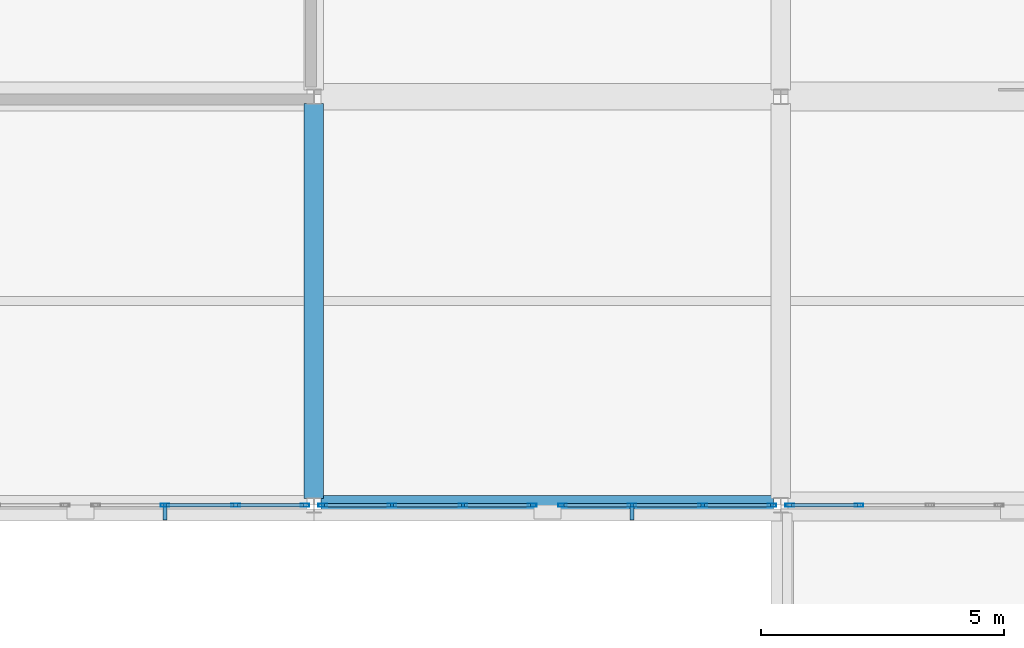
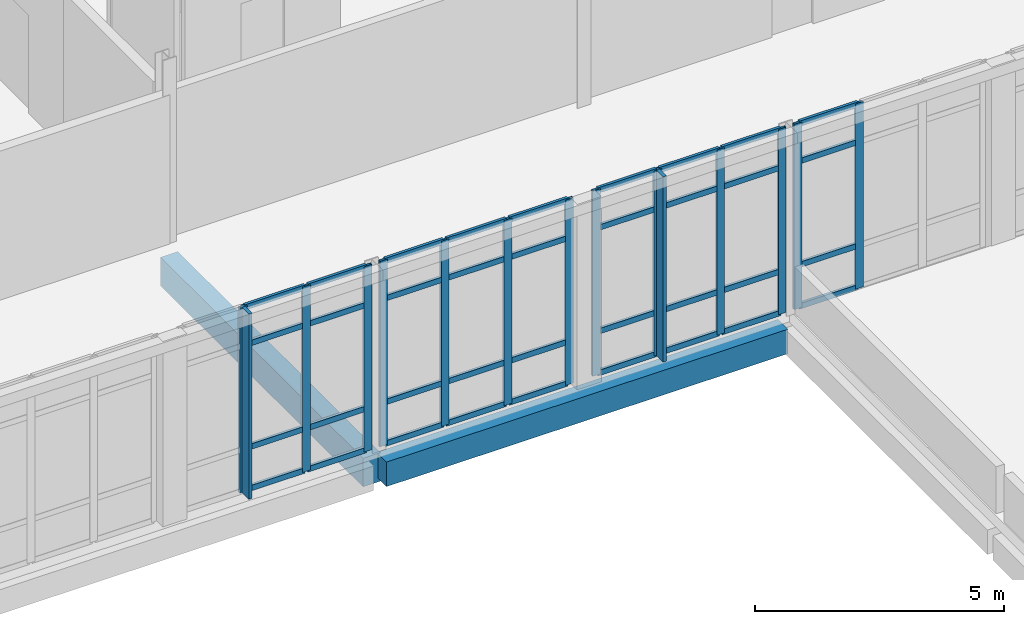
# One storey, part 44 of 88: 51 members, 2 beams, 4 elements without a shape of their own.
"""IFC4 building model written with IfcOpenShell, lengths in metres."""

from ifc_helpers import new_model, si_unit, direction, frame, origin, origin_2d, place, context, subcontext, project, spatial, rectangle, hollow_rectangle, extrude, material, layer, layer_set, material_profile, profile_set, type_object, element, aggregate, save


model = new_model("IFC4")

# Units and contexts
model_context = context("Model", 3, precision=1e-05, world=origin(), true_north=direction((0.0, 1.0)))
body_context = subcontext(model_context, "Body", "Model", "MODEL_VIEW")
ifc_project = project(units=[si_unit("LENGTHUNIT", "METRE"), si_unit("AREAUNIT", "SQUARE_METRE"), si_unit("VOLUMEUNIT", "CUBIC_METRE"), si_unit("PLANEANGLEUNIT", "RADIAN"), si_unit("MASSUNIT", "GRAM", prefix="KILO")], contexts=[model_context])

# Site, building, storey
site_placement = place(None, origin())
site = spatial("IfcSite", under=ifc_project, at=site_placement, CompositionType="ELEMENT")
building_placement = place(site_placement, origin())
building = spatial("IfcBuilding", under=site, at=building_placement, Name="Lornevale Opera House", CompositionType="ELEMENT")
storey_placement = place(building_placement, frame((0.0, 0.0, 10.199951171875)))
storey = spatial("IfcBuildingStorey", under=building, at=storey_placement, Name="L03", CompositionType="ELEMENT", Elevation=10.199951171875)

# Beams
ifc_material_1 = material(Name="Concrete 35 MPa (CSA A23.1 N)", Category="concrete")
ifc_material_profile_1 = material_profile(ifc_material_1, rectangle(XDim=0.39990234375, YDim=0.699951171875, at=origin_2d()), Name="RC400x700")
ifc_profile_set_1 = profile_set([ifc_material_profile_1], Name="Concrete 35 MPa (CSA A23.1 N)")
beam_type_1 = type_object("IfcBeamType", Name="Concrete Floor Beam 400x700", PredefinedType="USERDEFINED", material=ifc_profile_set_1)
beam_1_placement = place(storey_placement, frame((19.199951171875, 67.33740234375, -0.6298828125), z_axis=(0.0, 1.0, 0.0), x_axis=(-1.0, 0.0, 0.0)))
element("IfcBeam", 1, at=beam_1_placement, inside=storey, type_object=beam_type_1, Name="Concrete Floor Beam 400x700 2241", ObjectType="GIRDER", PredefinedType="USERDEFINED", context=body_context, shape_type="SweptSolid", body=[
    extrude(rectangle(XDim=0.39990234375, YDim=0.699951171875, at=origin_2d()), origin(), (0.0, 0.0, 1.0), 8.125),
])
ifc_material_profile_2 = material_profile(ifc_material_1, rectangle(XDim=0.39990234375, YDim=0.60009765625, at=origin_2d()), Name="RC400x600")
ifc_profile_set_2 = profile_set([ifc_material_profile_2], Name="Concrete 35 MPa (CSA A23.1 N)")
beam_type_2 = type_object("IfcBeamType", Name="Concrete Spandrel Beam 400x600", PredefinedType="SPANDREL", material=ifc_profile_set_2)
beam_2_placement = place(storey_placement, frame((19.346923828125, 67.199951171875, -0.58984375), z_axis=(1.0, 0.0, 0.0), x_axis=(0.0, 1.0, 0.0)))
element("IfcBeam", 2, at=beam_2_placement, inside=storey, type_object=beam_type_2, Name="Concrete Spandrel Beam 400x600 2166", PredefinedType="SPANDREL", context=body_context, shape_type="SweptSolid", body=[
    extrude(rectangle(XDim=0.39990234375, YDim=0.60009765625, at=origin_2d()), origin(), (0.0, 0.0, 1.0), 9.30615234375),
])

# Curtain wall, members
ifc_material_2 = material(Name="Anodized Oxide-Green Aluminium Framing", Category="aluminium")
ifc_layer = layer(ifc_material_2, 0.175048828125)
ifc_layer_set = layer_set([ifc_layer], Name="Anodized Oxide-Green Aluminium Framing")
curtain_wall_type = type_object("IfcCurtainWallType", Name="Chamber Cloister Curtain Wall M1700", PredefinedType="NOTDEFINED", material=ifc_layer_set)
curtain_wall_1_placement = place(storey_placement, origin())
curtain_wall_1 = element("IfcCurtainWall", 3, at=curtain_wall_1_placement, inside=storey, type_object=curtain_wall_type, Name="Chamber Cloister Curtain Wall M1700 CW-104", PredefinedType="NOTDEFINED")
ifc_material_profile_3 = material_profile(ifc_material_2, hollow_rectangle(XDim=0.06494140625, YDim=0.179931640625, WallThickness=0.0048828125, at=origin_2d()), Name="ALU65x180x5")
ifc_profile_set_3 = profile_set([ifc_material_profile_3], Name="Anodized Oxide-Green Aluminium Framing")
member_type_1 = type_object("IfcMemberType", Name="Curtain Wall Mullion 65x180", PredefinedType="MULLION", material=ifc_profile_set_3)
member_1_placement = place(storey_placement, frame((19.01708984375, 67.199951171875, 0.0), z_axis=(0.0, 0.0, 1.0), x_axis=(0.0, -1.0, 0.0)))
member_1 = element("IfcMember", 4, at=member_1_placement, type_object=member_type_1, Name="Curtain Wall Mullion 65x180 CW2120", PredefinedType="MULLION", context=body_context, shape_type="SweptSolid", body=[
    extrude(hollow_rectangle(XDim=0.06494140625, YDim=0.179931640625, WallThickness=0.0048828125, at=origin_2d()), origin(), (0.0, 0.0, 1.0), 4.5400390625),
])
member_2_placement = place(storey_placement, frame((17.593017578125, 67.199951171875, 0.0), z_axis=(0.0, 0.0, 1.0), x_axis=(0.0, -1.0, 0.0)))
member_2 = element("IfcMember", 5, at=member_2_placement, type_object=member_type_1, Name="Curtain Wall Mullion 65x180 CW2121", PredefinedType="MULLION", context=body_context, shape_type="SweptSolid", body=[
    extrude(hollow_rectangle(XDim=0.06494140625, YDim=0.179931640625, WallThickness=0.0048828125, at=origin_2d()), origin(), (0.0, 0.0, 1.0), 4.5400390625),
])
member_3_placement = place(storey_placement, frame((16.136474609375, 67.199951171875, 0.0), z_axis=(0.0, 0.0, 1.0), x_axis=(0.0, -1.0, 0.0)))
member_3 = element("IfcMember", 6, at=member_3_placement, type_object=member_type_1, Name="Curtain Wall Mullion 65x180 CW2122", PredefinedType="MULLION", context=body_context, shape_type="SweptSolid", body=[
    extrude(hollow_rectangle(XDim=0.06494140625, YDim=0.179931640625, WallThickness=0.0048828125, at=origin_2d()), origin(), (0.0, 0.0, 1.0), 4.5400390625),
])

curtain_wall_2_placement = place(storey_placement, origin())
curtain_wall_2 = element("IfcCurtainWall", 7, at=curtain_wall_2_placement, inside=storey, type_object=curtain_wall_type, Name="Chamber Cloister Curtain Wall M1700 CW-112", PredefinedType="NOTDEFINED")
member_4_placement = place(storey_placement, frame((28.616943359375, 67.199951171875, 0.0), z_axis=(0.0, 0.0, 1.0), x_axis=(0.0, -1.0, 0.0)))
member_4 = element("IfcMember", 8, at=member_4_placement, type_object=member_type_1, Name="Curtain Wall Mullion 65x180 CW2320", PredefinedType="MULLION", context=body_context, shape_type="SweptSolid", body=[
    extrude(hollow_rectangle(XDim=0.06494140625, YDim=0.179931640625, WallThickness=0.0048828125, at=origin_2d()), origin(), (0.0, 0.0, 1.0), 4.5400390625),
])
member_5_placement = place(storey_placement, frame((27.193115234375, 67.199951171875, 0.0), z_axis=(0.0, 0.0, 1.0), x_axis=(0.0, -1.0, 0.0)))
member_5 = element("IfcMember", 9, at=member_5_placement, type_object=member_type_1, Name="Curtain Wall Mullion 65x180 CW2321", PredefinedType="MULLION", context=body_context, shape_type="SweptSolid", body=[
    extrude(hollow_rectangle(XDim=0.06494140625, YDim=0.179931640625, WallThickness=0.0048828125, at=origin_2d()), origin(), (0.0, 0.0, 1.0), 4.5400390625),
])
member_6_placement = place(storey_placement, frame((25.736572265625, 67.199951171875, 0.0), z_axis=(0.0, 0.0, 1.0), x_axis=(0.0, -1.0, 0.0)))
member_6 = element("IfcMember", 10, at=member_6_placement, type_object=member_type_1, Name="Curtain Wall Mullion 65x180 CW2322", PredefinedType="MULLION", context=body_context, shape_type="SweptSolid", body=[
    extrude(hollow_rectangle(XDim=0.06494140625, YDim=0.179931640625, WallThickness=0.0048828125, at=origin_2d()), origin(), (0.0, 0.0, 1.0), 4.5400390625),
])
member_7_placement = place(storey_placement, frame((24.3125, 67.199951171875, 0.0), z_axis=(0.0, 0.0, 1.0), x_axis=(0.0, -1.0, 0.0)))
member_7 = element("IfcMember", 11, at=member_7_placement, type_object=member_type_1, Name="Curtain Wall Mullion 65x180 CW2323", PredefinedType="MULLION", context=body_context, shape_type="SweptSolid", body=[
    extrude(hollow_rectangle(XDim=0.06494140625, YDim=0.179931640625, WallThickness=0.0048828125, at=origin_2d()), origin(), (0.0, 0.0, 1.0), 4.5400390625),
])

curtain_wall_3_placement = place(storey_placement, origin())
curtain_wall_3 = element("IfcCurtainWall", 12, at=curtain_wall_3_placement, inside=storey, type_object=curtain_wall_type, Name="Chamber Cloister Curtain Wall M1700 CW-113", PredefinedType="NOTDEFINED")
member_8_placement = place(storey_placement, frame((23.6875, 67.199951171875, 0.0), z_axis=(0.0, 0.0, 1.0), x_axis=(0.0, -1.0, 0.0)))
member_8 = element("IfcMember", 13, at=member_8_placement, type_object=member_type_1, Name="Curtain Wall Mullion 65x180 CW2345", PredefinedType="MULLION", context=body_context, shape_type="SweptSolid", body=[
    extrude(hollow_rectangle(XDim=0.06494140625, YDim=0.179931640625, WallThickness=0.0048828125, at=origin_2d()), origin(), (0.0, 0.0, 1.0), 4.5400390625),
])
member_9_placement = place(storey_placement, frame((22.263427734375, 67.199951171875, 0.0), z_axis=(0.0, 0.0, 1.0), x_axis=(0.0, -1.0, 0.0)))
member_9 = element("IfcMember", 14, at=member_9_placement, type_object=member_type_1, Name="Curtain Wall Mullion 65x180 CW2346", PredefinedType="MULLION", context=body_context, shape_type="SweptSolid", body=[
    extrude(hollow_rectangle(XDim=0.06494140625, YDim=0.179931640625, WallThickness=0.0048828125, at=origin_2d()), origin(), (0.0, 0.0, 1.0), 4.5400390625),
])
member_10_placement = place(storey_placement, frame((20.806884765625, 67.199951171875, 0.0), z_axis=(0.0, 0.0, 1.0), x_axis=(0.0, -1.0, 0.0)))
member_10 = element("IfcMember", 15, at=member_10_placement, type_object=member_type_1, Name="Curtain Wall Mullion 65x180 CW2347", PredefinedType="MULLION", context=body_context, shape_type="SweptSolid", body=[
    extrude(hollow_rectangle(XDim=0.06494140625, YDim=0.179931640625, WallThickness=0.0048828125, at=origin_2d()), origin(), (0.0, 0.0, 1.0), 4.5400390625),
])
member_11_placement = place(storey_placement, frame((19.383056640625, 67.199951171875, 0.0), z_axis=(0.0, 0.0, 1.0), x_axis=(0.0, -1.0, 0.0)))
member_11 = element("IfcMember", 16, at=member_11_placement, type_object=member_type_1, Name="Curtain Wall Mullion 65x180 CW2348", PredefinedType="MULLION", context=body_context, shape_type="SweptSolid", body=[
    extrude(hollow_rectangle(XDim=0.06494140625, YDim=0.179931640625, WallThickness=0.0048828125, at=origin_2d()), origin(), (0.0, 0.0, 1.0), 4.5400390625),
])

curtain_wall_4_placement = place(storey_placement, origin())
curtain_wall_4 = element("IfcCurtainWall", 17, at=curtain_wall_4_placement, inside=storey, type_object=curtain_wall_type, Name="Chamber Cloister Curtain Wall M1700 CW-125", PredefinedType="NOTDEFINED")
member_12_placement = place(storey_placement, frame((30.406982421875, 67.199951171875, 0.0), z_axis=(0.0, 0.0, 1.0), x_axis=(0.0, -1.0, 0.0)))
member_12 = element("IfcMember", 18, at=member_12_placement, type_object=member_type_1, Name="Curtain Wall Mullion 65x180 CW2591", PredefinedType="MULLION", context=body_context, shape_type="SweptSolid", body=[
    extrude(hollow_rectangle(XDim=0.06494140625, YDim=0.179931640625, WallThickness=0.0048828125, at=origin_2d()), origin(), (0.0, 0.0, 1.0), 4.5400390625),
])
member_13_placement = place(storey_placement, frame((28.98291015625, 67.199951171875, 0.0), z_axis=(0.0, 0.0, 1.0), x_axis=(0.0, -1.0, 0.0)))
member_13 = element("IfcMember", 19, at=member_13_placement, type_object=member_type_1, Name="Curtain Wall Mullion 65x180 CW2592", PredefinedType="MULLION", context=body_context, shape_type="SweptSolid", body=[
    extrude(hollow_rectangle(XDim=0.06494140625, YDim=0.179931640625, WallThickness=0.0048828125, at=origin_2d()), origin(), (0.0, 0.0, 1.0), 4.5400390625),
])

# Member
ifc_material_profile_4 = material_profile(ifc_material_2, hollow_rectangle(XDim=0.06494140625, YDim=0.135009765625, WallThickness=0.00390625, at=origin_2d()), Name="ALU65x135x4")
ifc_profile_set_4 = profile_set([ifc_material_profile_4], Name="Anodized Oxide-Green Aluminium Framing")
member_type_2 = type_object("IfcMemberType", Name="Curtain Wall Transom 65x135", PredefinedType="USERDEFINED", material=ifc_profile_set_4)
member_14_placement = place(storey_placement, frame((18.984619140625, 67.199951171875, 0.032470703125), z_axis=(-1.0, 0.0, 0.0), x_axis=(0.0, -1.0, 0.0)))
member_14 = element("IfcMember", 20, at=member_14_placement, type_object=member_type_2, Name="Curtain Wall Transom 65x135 CW2124", ObjectType="TRANSOM", PredefinedType="USERDEFINED", context=body_context, shape_type="SweptSolid", body=[
    extrude(hollow_rectangle(XDim=0.06494140625, YDim=0.135009765625, WallThickness=0.00390625, at=origin_2d()), origin(), (0.0, 0.0, 1.0), 1.359130859375),
])

member_15_placement = place(storey_placement, frame((18.984619140625, 67.199951171875, 1.050048828125), z_axis=(-1.0, 0.0, 0.0), x_axis=(0.0, -1.0, 0.0)))
member_15 = element("IfcMember", 21, at=member_15_placement, type_object=member_type_2, Name="Curtain Wall Transom 65x135 CW2125", ObjectType="TRANSOM", PredefinedType="USERDEFINED", context=body_context, shape_type="SweptSolid", body=[
    extrude(hollow_rectangle(XDim=0.06494140625, YDim=0.135009765625, WallThickness=0.00390625, at=origin_2d()), origin(), (0.0, 0.0, 1.0), 1.359130859375),
])

member_16_placement = place(storey_placement, frame((18.984619140625, 67.199951171875, 3.590087890625), z_axis=(-1.0, 0.0, 0.0), x_axis=(0.0, -1.0, 0.0)))
member_16 = element("IfcMember", 22, at=member_16_placement, type_object=member_type_2, Name="Curtain Wall Transom 65x135 CW2126", ObjectType="TRANSOM", PredefinedType="USERDEFINED", context=body_context, shape_type="SweptSolid", body=[
    extrude(hollow_rectangle(XDim=0.06494140625, YDim=0.135009765625, WallThickness=0.00390625, at=origin_2d()), origin(), (0.0, 0.0, 1.0), 1.359130859375),
])

member_17_placement = place(storey_placement, frame((18.984619140625, 67.199951171875, 4.507568359375), z_axis=(-1.0, 0.0, 0.0), x_axis=(0.0, -1.0, 0.0)))
member_17 = element("IfcMember", 23, at=member_17_placement, type_object=member_type_2, Name="Curtain Wall Transom 65x135 CW2127", ObjectType="TRANSOM", PredefinedType="USERDEFINED", context=body_context, shape_type="SweptSolid", body=[
    extrude(hollow_rectangle(XDim=0.06494140625, YDim=0.135009765625, WallThickness=0.00390625, at=origin_2d()), origin(), (0.0, 0.0, 1.0), 1.359130859375),
])

member_18_placement = place(storey_placement, frame((17.560546875, 67.199951171875, 0.032470703125), z_axis=(-1.0, 0.0, 0.0), x_axis=(0.0, -1.0, 0.0)))
member_18 = element("IfcMember", 24, at=member_18_placement, type_object=member_type_2, Name="Curtain Wall Transom 65x135 CW2131", ObjectType="TRANSOM", PredefinedType="USERDEFINED", context=body_context, shape_type="SweptSolid", body=[
    extrude(hollow_rectangle(XDim=0.06494140625, YDim=0.135009765625, WallThickness=0.00390625, at=origin_2d()), origin(), (0.0, 0.0, 1.0), 1.3916015625),
])

member_19_placement = place(storey_placement, frame((17.560546875, 67.199951171875, 1.050048828125), z_axis=(-1.0, 0.0, 0.0), x_axis=(0.0, -1.0, 0.0)))
member_19 = element("IfcMember", 25, at=member_19_placement, type_object=member_type_2, Name="Curtain Wall Transom 65x135 CW2132", ObjectType="TRANSOM", PredefinedType="USERDEFINED", context=body_context, shape_type="SweptSolid", body=[
    extrude(hollow_rectangle(XDim=0.06494140625, YDim=0.135009765625, WallThickness=0.00390625, at=origin_2d()), origin(), (0.0, 0.0, 1.0), 1.3916015625),
])

member_20_placement = place(storey_placement, frame((17.560546875, 67.199951171875, 3.590087890625), z_axis=(-1.0, 0.0, 0.0), x_axis=(0.0, -1.0, 0.0)))
member_20 = element("IfcMember", 26, at=member_20_placement, type_object=member_type_2, Name="Curtain Wall Transom 65x135 CW2133", ObjectType="TRANSOM", PredefinedType="USERDEFINED", context=body_context, shape_type="SweptSolid", body=[
    extrude(hollow_rectangle(XDim=0.06494140625, YDim=0.135009765625, WallThickness=0.00390625, at=origin_2d()), origin(), (0.0, 0.0, 1.0), 1.3916015625),
])

member_21_placement = place(storey_placement, frame((17.560546875, 67.199951171875, 4.507568359375), z_axis=(-1.0, 0.0, 0.0), x_axis=(0.0, -1.0, 0.0)))
member_21 = element("IfcMember", 27, at=member_21_placement, type_object=member_type_2, Name="Curtain Wall Transom 65x135 CW2134", ObjectType="TRANSOM", PredefinedType="USERDEFINED", context=body_context, shape_type="SweptSolid", body=[
    extrude(hollow_rectangle(XDim=0.06494140625, YDim=0.135009765625, WallThickness=0.00390625, at=origin_2d()), origin(), (0.0, 0.0, 1.0), 1.3916015625),
])

member_22_placement = place(storey_placement, frame((28.58447265625, 67.199951171875, 0.032470703125), z_axis=(-1.0, 0.0, 0.0), x_axis=(0.0, -1.0, 0.0)))
member_22 = element("IfcMember", 28, at=member_22_placement, type_object=member_type_2, Name="Curtain Wall Transom 65x135 CW2324", ObjectType="TRANSOM", PredefinedType="USERDEFINED", context=body_context, shape_type="SweptSolid", body=[
    extrude(hollow_rectangle(XDim=0.06494140625, YDim=0.135009765625, WallThickness=0.00390625, at=origin_2d()), origin(), (0.0, 0.0, 1.0), 1.35888671875),
])

member_23_placement = place(storey_placement, frame((28.58447265625, 67.199951171875, 1.050048828125), z_axis=(-1.0, 0.0, 0.0), x_axis=(0.0, -1.0, 0.0)))
member_23 = element("IfcMember", 29, at=member_23_placement, type_object=member_type_2, Name="Curtain Wall Transom 65x135 CW2325", ObjectType="TRANSOM", PredefinedType="USERDEFINED", context=body_context, shape_type="SweptSolid", body=[
    extrude(hollow_rectangle(XDim=0.06494140625, YDim=0.135009765625, WallThickness=0.00390625, at=origin_2d()), origin(), (0.0, 0.0, 1.0), 1.35888671875),
])

member_24_placement = place(storey_placement, frame((28.58447265625, 67.199951171875, 3.590087890625), z_axis=(-1.0, 0.0, 0.0), x_axis=(0.0, -1.0, 0.0)))
member_24 = element("IfcMember", 30, at=member_24_placement, type_object=member_type_2, Name="Curtain Wall Transom 65x135 CW2326", ObjectType="TRANSOM", PredefinedType="USERDEFINED", context=body_context, shape_type="SweptSolid", body=[
    extrude(hollow_rectangle(XDim=0.06494140625, YDim=0.135009765625, WallThickness=0.00390625, at=origin_2d()), origin(), (0.0, 0.0, 1.0), 1.35888671875),
])

member_25_placement = place(storey_placement, frame((28.58447265625, 67.199951171875, 4.507568359375), z_axis=(-1.0, 0.0, 0.0), x_axis=(0.0, -1.0, 0.0)))
member_25 = element("IfcMember", 31, at=member_25_placement, type_object=member_type_2, Name="Curtain Wall Transom 65x135 CW2327", ObjectType="TRANSOM", PredefinedType="USERDEFINED", context=body_context, shape_type="SweptSolid", body=[
    extrude(hollow_rectangle(XDim=0.06494140625, YDim=0.135009765625, WallThickness=0.00390625, at=origin_2d()), origin(), (0.0, 0.0, 1.0), 1.35888671875),
])

member_26_placement = place(storey_placement, frame((27.160400390625, 67.199951171875, 0.032470703125), z_axis=(-1.0, 0.0, 0.0), x_axis=(0.0, -1.0, 0.0)))
member_26 = element("IfcMember", 32, at=member_26_placement, type_object=member_type_2, Name="Curtain Wall Transom 65x135 CW2331", ObjectType="TRANSOM", PredefinedType="USERDEFINED", context=body_context, shape_type="SweptSolid", body=[
    extrude(hollow_rectangle(XDim=0.06494140625, YDim=0.135009765625, WallThickness=0.00390625, at=origin_2d()), origin(), (0.0, 0.0, 1.0), 1.391357421875),
])

member_27_placement = place(storey_placement, frame((27.160400390625, 67.199951171875, 1.050048828125), z_axis=(-1.0, 0.0, 0.0), x_axis=(0.0, -1.0, 0.0)))
member_27 = element("IfcMember", 33, at=member_27_placement, type_object=member_type_2, Name="Curtain Wall Transom 65x135 CW2332", ObjectType="TRANSOM", PredefinedType="USERDEFINED", context=body_context, shape_type="SweptSolid", body=[
    extrude(hollow_rectangle(XDim=0.06494140625, YDim=0.135009765625, WallThickness=0.00390625, at=origin_2d()), origin(), (0.0, 0.0, 1.0), 1.391357421875),
])

member_28_placement = place(storey_placement, frame((27.160400390625, 67.199951171875, 3.590087890625), z_axis=(-1.0, 0.0, 0.0), x_axis=(0.0, -1.0, 0.0)))
member_28 = element("IfcMember", 34, at=member_28_placement, type_object=member_type_2, Name="Curtain Wall Transom 65x135 CW2333", ObjectType="TRANSOM", PredefinedType="USERDEFINED", context=body_context, shape_type="SweptSolid", body=[
    extrude(hollow_rectangle(XDim=0.06494140625, YDim=0.135009765625, WallThickness=0.00390625, at=origin_2d()), origin(), (0.0, 0.0, 1.0), 1.391357421875),
])

member_29_placement = place(storey_placement, frame((27.160400390625, 67.199951171875, 4.507568359375), z_axis=(-1.0, 0.0, 0.0), x_axis=(0.0, -1.0, 0.0)))
member_29 = element("IfcMember", 35, at=member_29_placement, type_object=member_type_2, Name="Curtain Wall Transom 65x135 CW2334", ObjectType="TRANSOM", PredefinedType="USERDEFINED", context=body_context, shape_type="SweptSolid", body=[
    extrude(hollow_rectangle(XDim=0.06494140625, YDim=0.135009765625, WallThickness=0.00390625, at=origin_2d()), origin(), (0.0, 0.0, 1.0), 1.391357421875),
])

member_30_placement = place(storey_placement, frame((25.7041015625, 67.199951171875, 0.032470703125), z_axis=(-1.0, 0.0, 0.0), x_axis=(0.0, -1.0, 0.0)))
member_30 = element("IfcMember", 36, at=member_30_placement, type_object=member_type_2, Name="Curtain Wall Transom 65x135 CW2338", ObjectType="TRANSOM", PredefinedType="USERDEFINED", context=body_context, shape_type="SweptSolid", body=[
    extrude(hollow_rectangle(XDim=0.06494140625, YDim=0.135009765625, WallThickness=0.00390625, at=origin_2d()), origin(), (0.0, 0.0, 1.0), 1.359130859375),
])

member_31_placement = place(storey_placement, frame((25.7041015625, 67.199951171875, 1.050048828125), z_axis=(-1.0, 0.0, 0.0), x_axis=(0.0, -1.0, 0.0)))
member_31 = element("IfcMember", 37, at=member_31_placement, type_object=member_type_2, Name="Curtain Wall Transom 65x135 CW2339", ObjectType="TRANSOM", PredefinedType="USERDEFINED", context=body_context, shape_type="SweptSolid", body=[
    extrude(hollow_rectangle(XDim=0.06494140625, YDim=0.135009765625, WallThickness=0.00390625, at=origin_2d()), origin(), (0.0, 0.0, 1.0), 1.359130859375),
])

member_32_placement = place(storey_placement, frame((25.7041015625, 67.199951171875, 3.590087890625), z_axis=(-1.0, 0.0, 0.0), x_axis=(0.0, -1.0, 0.0)))
member_32 = element("IfcMember", 38, at=member_32_placement, type_object=member_type_2, Name="Curtain Wall Transom 65x135 CW2340", ObjectType="TRANSOM", PredefinedType="USERDEFINED", context=body_context, shape_type="SweptSolid", body=[
    extrude(hollow_rectangle(XDim=0.06494140625, YDim=0.135009765625, WallThickness=0.00390625, at=origin_2d()), origin(), (0.0, 0.0, 1.0), 1.359130859375),
])

member_33_placement = place(storey_placement, frame((25.7041015625, 67.199951171875, 4.507568359375), z_axis=(-1.0, 0.0, 0.0), x_axis=(0.0, -1.0, 0.0)))
member_33 = element("IfcMember", 39, at=member_33_placement, type_object=member_type_2, Name="Curtain Wall Transom 65x135 CW2341", ObjectType="TRANSOM", PredefinedType="USERDEFINED", context=body_context, shape_type="SweptSolid", body=[
    extrude(hollow_rectangle(XDim=0.06494140625, YDim=0.135009765625, WallThickness=0.00390625, at=origin_2d()), origin(), (0.0, 0.0, 1.0), 1.359130859375),
])

member_34_placement = place(storey_placement, frame((23.655029296875, 67.199951171875, 0.032470703125), z_axis=(-1.0, 0.0, 0.0), x_axis=(0.0, -1.0, 0.0)))
member_34 = element("IfcMember", 40, at=member_34_placement, type_object=member_type_2, Name="Curtain Wall Transom 65x135 CW2349", ObjectType="TRANSOM", PredefinedType="USERDEFINED", context=body_context, shape_type="SweptSolid", body=[
    extrude(hollow_rectangle(XDim=0.06494140625, YDim=0.135009765625, WallThickness=0.00390625, at=origin_2d()), origin(), (0.0, 0.0, 1.0), 1.359130859375),
])

member_35_placement = place(storey_placement, frame((23.655029296875, 67.199951171875, 1.050048828125), z_axis=(-1.0, 0.0, 0.0), x_axis=(0.0, -1.0, 0.0)))
member_35 = element("IfcMember", 41, at=member_35_placement, type_object=member_type_2, Name="Curtain Wall Transom 65x135 CW2350", ObjectType="TRANSOM", PredefinedType="USERDEFINED", context=body_context, shape_type="SweptSolid", body=[
    extrude(hollow_rectangle(XDim=0.06494140625, YDim=0.135009765625, WallThickness=0.00390625, at=origin_2d()), origin(), (0.0, 0.0, 1.0), 1.359130859375),
])

member_36_placement = place(storey_placement, frame((23.655029296875, 67.199951171875, 3.590087890625), z_axis=(-1.0, 0.0, 0.0), x_axis=(0.0, -1.0, 0.0)))
member_36 = element("IfcMember", 42, at=member_36_placement, type_object=member_type_2, Name="Curtain Wall Transom 65x135 CW2351", ObjectType="TRANSOM", PredefinedType="USERDEFINED", context=body_context, shape_type="SweptSolid", body=[
    extrude(hollow_rectangle(XDim=0.06494140625, YDim=0.135009765625, WallThickness=0.00390625, at=origin_2d()), origin(), (0.0, 0.0, 1.0), 1.359130859375),
])

member_37_placement = place(storey_placement, frame((23.655029296875, 67.199951171875, 4.507568359375), z_axis=(-1.0, 0.0, 0.0), x_axis=(0.0, -1.0, 0.0)))
member_37 = element("IfcMember", 43, at=member_37_placement, type_object=member_type_2, Name="Curtain Wall Transom 65x135 CW2352", ObjectType="TRANSOM", PredefinedType="USERDEFINED", context=body_context, shape_type="SweptSolid", body=[
    extrude(hollow_rectangle(XDim=0.06494140625, YDim=0.135009765625, WallThickness=0.00390625, at=origin_2d()), origin(), (0.0, 0.0, 1.0), 1.359130859375),
])

member_38_placement = place(storey_placement, frame((22.23095703125, 67.199951171875, 0.032470703125), z_axis=(-1.0, 0.0, 0.0), x_axis=(0.0, -1.0, 0.0)))
member_38 = element("IfcMember", 44, at=member_38_placement, type_object=member_type_2, Name="Curtain Wall Transom 65x135 CW2356", ObjectType="TRANSOM", PredefinedType="USERDEFINED", context=body_context, shape_type="SweptSolid", body=[
    extrude(hollow_rectangle(XDim=0.06494140625, YDim=0.135009765625, WallThickness=0.00390625, at=origin_2d()), origin(), (0.0, 0.0, 1.0), 1.391357421875),
])

member_39_placement = place(storey_placement, frame((22.23095703125, 67.199951171875, 1.050048828125), z_axis=(-1.0, 0.0, 0.0), x_axis=(0.0, -1.0, 0.0)))
member_39 = element("IfcMember", 45, at=member_39_placement, type_object=member_type_2, Name="Curtain Wall Transom 65x135 CW2357", ObjectType="TRANSOM", PredefinedType="USERDEFINED", context=body_context, shape_type="SweptSolid", body=[
    extrude(hollow_rectangle(XDim=0.06494140625, YDim=0.135009765625, WallThickness=0.00390625, at=origin_2d()), origin(), (0.0, 0.0, 1.0), 1.391357421875),
])

member_40_placement = place(storey_placement, frame((22.23095703125, 67.199951171875, 3.590087890625), z_axis=(-1.0, 0.0, 0.0), x_axis=(0.0, -1.0, 0.0)))
member_40 = element("IfcMember", 46, at=member_40_placement, type_object=member_type_2, Name="Curtain Wall Transom 65x135 CW2358", ObjectType="TRANSOM", PredefinedType="USERDEFINED", context=body_context, shape_type="SweptSolid", body=[
    extrude(hollow_rectangle(XDim=0.06494140625, YDim=0.135009765625, WallThickness=0.00390625, at=origin_2d()), origin(), (0.0, 0.0, 1.0), 1.391357421875),
])

member_41_placement = place(storey_placement, frame((22.23095703125, 67.199951171875, 4.507568359375), z_axis=(-1.0, 0.0, 0.0), x_axis=(0.0, -1.0, 0.0)))
member_41 = element("IfcMember", 47, at=member_41_placement, type_object=member_type_2, Name="Curtain Wall Transom 65x135 CW2359", ObjectType="TRANSOM", PredefinedType="USERDEFINED", context=body_context, shape_type="SweptSolid", body=[
    extrude(hollow_rectangle(XDim=0.06494140625, YDim=0.135009765625, WallThickness=0.00390625, at=origin_2d()), origin(), (0.0, 0.0, 1.0), 1.391357421875),
])

member_42_placement = place(storey_placement, frame((20.7744140625, 67.199951171875, 0.032470703125), z_axis=(-1.0, 0.0, 0.0), x_axis=(0.0, -1.0, 0.0)))
member_42 = element("IfcMember", 48, at=member_42_placement, type_object=member_type_2, Name="Curtain Wall Transom 65x135 CW2363", ObjectType="TRANSOM", PredefinedType="USERDEFINED", context=body_context, shape_type="SweptSolid", body=[
    extrude(hollow_rectangle(XDim=0.06494140625, YDim=0.135009765625, WallThickness=0.00390625, at=origin_2d()), origin(), (0.0, 0.0, 1.0), 1.35888671875),
])

member_43_placement = place(storey_placement, frame((20.7744140625, 67.199951171875, 1.050048828125), z_axis=(-1.0, 0.0, 0.0), x_axis=(0.0, -1.0, 0.0)))
member_43 = element("IfcMember", 49, at=member_43_placement, type_object=member_type_2, Name="Curtain Wall Transom 65x135 CW2364", ObjectType="TRANSOM", PredefinedType="USERDEFINED", context=body_context, shape_type="SweptSolid", body=[
    extrude(hollow_rectangle(XDim=0.06494140625, YDim=0.135009765625, WallThickness=0.00390625, at=origin_2d()), origin(), (0.0, 0.0, 1.0), 1.35888671875),
])

member_44_placement = place(storey_placement, frame((20.7744140625, 67.199951171875, 3.590087890625), z_axis=(-1.0, 0.0, 0.0), x_axis=(0.0, -1.0, 0.0)))
member_44 = element("IfcMember", 50, at=member_44_placement, type_object=member_type_2, Name="Curtain Wall Transom 65x135 CW2365", ObjectType="TRANSOM", PredefinedType="USERDEFINED", context=body_context, shape_type="SweptSolid", body=[
    extrude(hollow_rectangle(XDim=0.06494140625, YDim=0.135009765625, WallThickness=0.00390625, at=origin_2d()), origin(), (0.0, 0.0, 1.0), 1.35888671875),
])

member_45_placement = place(storey_placement, frame((20.7744140625, 67.199951171875, 4.507568359375), z_axis=(-1.0, 0.0, 0.0), x_axis=(0.0, -1.0, 0.0)))
member_45 = element("IfcMember", 51, at=member_45_placement, type_object=member_type_2, Name="Curtain Wall Transom 65x135 CW2366", ObjectType="TRANSOM", PredefinedType="USERDEFINED", context=body_context, shape_type="SweptSolid", body=[
    extrude(hollow_rectangle(XDim=0.06494140625, YDim=0.135009765625, WallThickness=0.00390625, at=origin_2d()), origin(), (0.0, 0.0, 1.0), 1.35888671875),
])

aggregate(curtain_wall_3, [member_8, member_9, member_10, member_11, member_34, member_35, member_36, member_37, member_38, member_39, member_40, member_41, member_42, member_43, member_44, member_45])

member_46_placement = place(storey_placement, frame((30.37451171875, 67.199951171875, 0.032470703125), z_axis=(-1.0, 0.0, 0.0), x_axis=(0.0, -1.0, 0.0)))
member_46 = element("IfcMember", 52, at=member_46_placement, type_object=member_type_2, Name="Curtain Wall Transom 65x135 CW2607", ObjectType="TRANSOM", PredefinedType="USERDEFINED", context=body_context, shape_type="SweptSolid", body=[
    extrude(hollow_rectangle(XDim=0.06494140625, YDim=0.135009765625, WallThickness=0.00390625, at=origin_2d()), origin(), (0.0, 0.0, 1.0), 1.359130859375),
])

member_47_placement = place(storey_placement, frame((30.37451171875, 67.199951171875, 1.050048828125), z_axis=(-1.0, 0.0, 0.0), x_axis=(0.0, -1.0, 0.0)))
member_47 = element("IfcMember", 53, at=member_47_placement, type_object=member_type_2, Name="Curtain Wall Transom 65x135 CW2608", ObjectType="TRANSOM", PredefinedType="USERDEFINED", context=body_context, shape_type="SweptSolid", body=[
    extrude(hollow_rectangle(XDim=0.06494140625, YDim=0.135009765625, WallThickness=0.00390625, at=origin_2d()), origin(), (0.0, 0.0, 1.0), 1.359130859375),
])

member_48_placement = place(storey_placement, frame((30.37451171875, 67.199951171875, 3.590087890625), z_axis=(-1.0, 0.0, 0.0), x_axis=(0.0, -1.0, 0.0)))
member_48 = element("IfcMember", 54, at=member_48_placement, type_object=member_type_2, Name="Curtain Wall Transom 65x135 CW2609", ObjectType="TRANSOM", PredefinedType="USERDEFINED", context=body_context, shape_type="SweptSolid", body=[
    extrude(hollow_rectangle(XDim=0.06494140625, YDim=0.135009765625, WallThickness=0.00390625, at=origin_2d()), origin(), (0.0, 0.0, 1.0), 1.359130859375),
])

member_49_placement = place(storey_placement, frame((30.37451171875, 67.199951171875, 4.507568359375), z_axis=(-1.0, 0.0, 0.0), x_axis=(0.0, -1.0, 0.0)))
member_49 = element("IfcMember", 55, at=member_49_placement, type_object=member_type_2, Name="Curtain Wall Transom 65x135 CW2610", ObjectType="TRANSOM", PredefinedType="USERDEFINED", context=body_context, shape_type="SweptSolid", body=[
    extrude(hollow_rectangle(XDim=0.06494140625, YDim=0.135009765625, WallThickness=0.00390625, at=origin_2d()), origin(), (0.0, 0.0, 1.0), 1.359130859375),
])

aggregate(curtain_wall_4, [member_12, member_13, member_46, member_47, member_48, member_49])

ifc_material_3 = material(Name="Architectural Bronze Solar Louvre Alloy", Category="metal")
ifc_material_profile_5 = material_profile(ifc_material_3, rectangle(XDim=0.080078125, YDim=0.360107421875, at=origin_2d()), Name="FIN80x360")
ifc_profile_set_5 = profile_set([ifc_material_profile_5], Name="Architectural Bronze Solar Louvre Alloy")
member_type_3 = type_object("IfcMemberType", Name="Solar Shading Fin 80x360", PredefinedType="USERDEFINED", material=ifc_profile_set_5)
member_50_placement = place(storey_placement, frame((16.136474609375, 67.073974609375, 0.0), z_axis=(0.0, 0.0, 1.0), x_axis=(-1.0, 0.0, 0.0)))
member_50 = element("IfcMember", 56, at=member_50_placement, type_object=member_type_3, Name="Solar Shading Fin 80x360 FIN0044", ObjectType="SOLAR FIN", PredefinedType="USERDEFINED", context=body_context, shape_type="SweptSolid", body=[
    extrude(rectangle(XDim=0.080078125, YDim=0.360107421875, at=origin_2d()), origin(), (0.0, 0.0, 1.0), 4.5400390625),
])

aggregate(curtain_wall_1, [member_1, member_2, member_3, member_14, member_15, member_16, member_17, member_18, member_19, member_20, member_21, member_50])

member_51_placement = place(storey_placement, frame((25.736572265625, 67.073974609375, 0.0), z_axis=(0.0, 0.0, 1.0), x_axis=(-1.0, 0.0, 0.0)))
member_51 = element("IfcMember", 57, at=member_51_placement, type_object=member_type_3, Name="Solar Shading Fin 80x360 FIN0046", ObjectType="SOLAR FIN", PredefinedType="USERDEFINED", context=body_context, shape_type="SweptSolid", body=[
    extrude(rectangle(XDim=0.080078125, YDim=0.360107421875, at=origin_2d()), origin(), (0.0, 0.0, 1.0), 4.5400390625),
])

aggregate(curtain_wall_2, [member_4, member_5, member_6, member_7, member_22, member_23, member_24, member_25, member_26, member_27, member_28, member_29, member_30, member_31, member_32, member_33, member_51])

save(model, "model.ifc")
